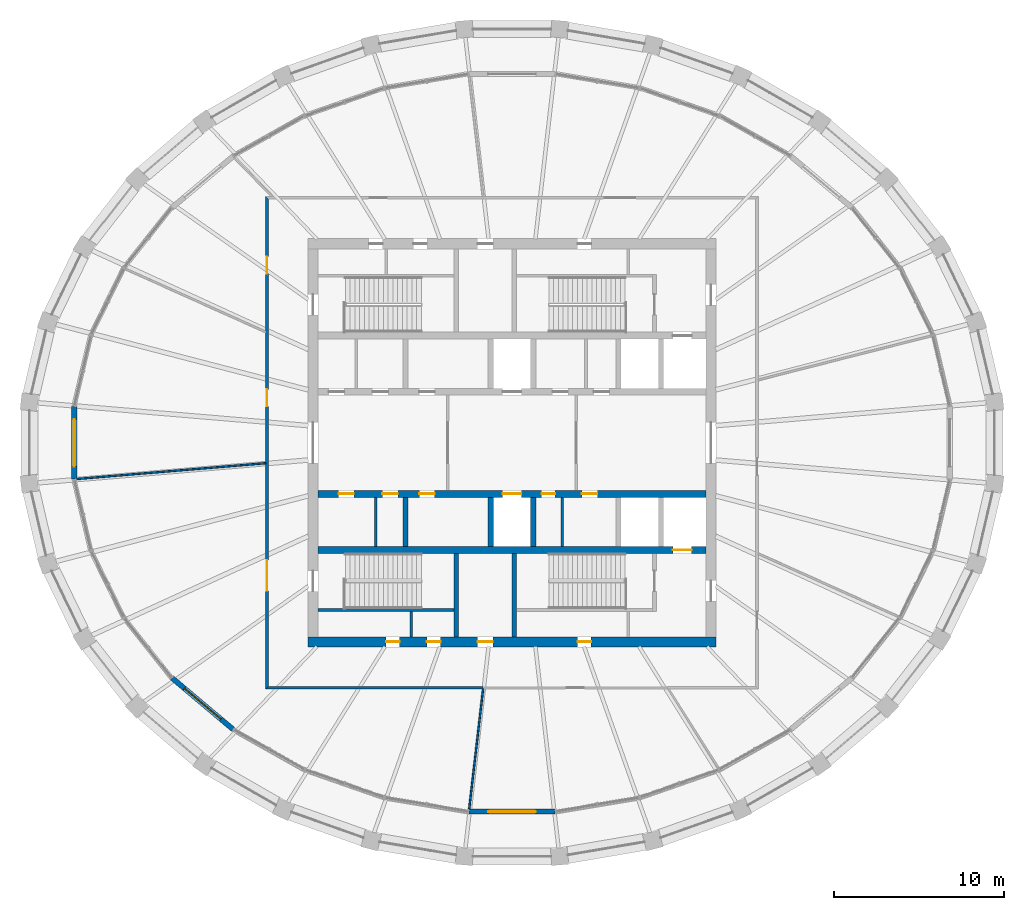
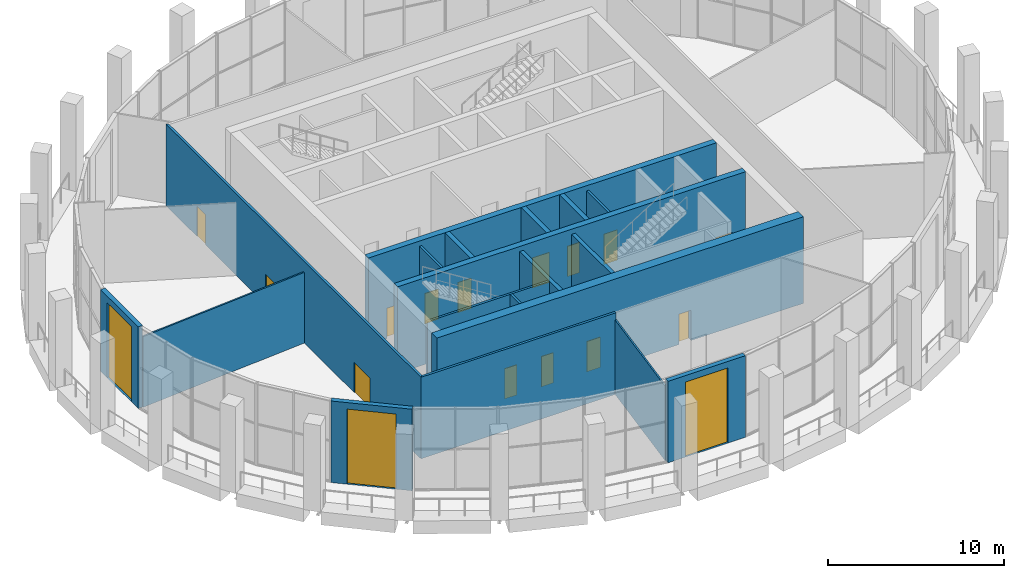
# One storey, part 10 of 15: 19 walls, 17 doors, 17 openings.
"""IFC4 building model written with IfcOpenShell, lengths in metres."""

from ifc_helpers import new_model, si_unit, direction, frame, frame_2d, origin, place, context, subcontext, project, spatial, polyline, rectangle, outline, extrude, material, layer, layer_set, type_object, element, fill, save


model = new_model("IFC4")

# Units and contexts
model_context = context("Model", 3, precision=1e-05, world=origin(), true_north=direction((0.0, 1.0)))
body_context = subcontext(model_context, "Body", "Model", "MODEL_VIEW")
ifc_project = project(units=[si_unit("LENGTHUNIT", "METRE"), si_unit("AREAUNIT", "SQUARE_METRE"), si_unit("VOLUMEUNIT", "CUBIC_METRE"), si_unit("PLANEANGLEUNIT", "RADIAN"), si_unit("MASSUNIT", "GRAM", prefix="KILO")], contexts=[model_context])

# Site, building, storey
site_placement = place(None, origin())
site = spatial("IfcSite", under=ifc_project, at=site_placement, CompositionType="ELEMENT")
building_placement = place(site_placement, origin())
building = spatial("IfcBuilding", under=site, at=building_placement, Name="Halqa Exchange Tower", CompositionType="ELEMENT")
storey_placement = place(building_placement, frame((0.0, 0.0, 343.300048828125)))
storey = spatial("IfcBuildingStorey", under=building, at=storey_placement, Name="L80", CompositionType="ELEMENT", Elevation=343.300048828125)

# Wall, openings, doors
ifc_material_1 = material(Name="Fire-rated gypsum board")
ifc_layer_1 = layer(ifc_material_1, 0.14990234375)
ifc_layer_set_1 = layer_set([ifc_layer_1], Name="Fire-rated gypsum board")
wall_type_1 = type_object("IfcWallType", Name="Fire partition EI 60 150", PredefinedType="PARTITIONING", material=ifc_layer_set_1)
wall_1_placement = place(storey_placement, frame((-14.39990234375, -14.47509765625, 0.0), z_axis=(0.0, 0.0, 1.0), x_axis=(0.0, 1.0, 0.0)))
wall_1 = element("IfcWall", 1, at=wall_1_placement, inside=storey, type_object=wall_type_1, Name="L80-PWL-001", PredefinedType="PARTITIONING", context=body_context, shape_type="SweptSolid", body=[
    extrude(outline(polyline([(0.150146484375, -0.074951171875), (2.06005859375, -0.074951171875), (3.97021484375, -0.074951171875), (5.880126953125, -0.074951171875), (7.7900390625, -0.074951171875), (9.7001953125, -0.074951171875), (11.610107421875, -0.074951171875), (13.52001953125, -0.074951171875), (15.43017578125, -0.074951171875), (17.340087890625, -0.074951171875), (19.25, -0.074951171875), (21.16015625, -0.074951171875), (23.070068359375, -0.074951171875), (24.97998046875, -0.074951171875), (26.89013671875, -0.074951171875), (28.800048828125, -0.074951171875), (28.949951171875, 0.074951171875), (27.02001953125, 0.074951171875), (25.090087890625, 0.074951171875), (23.159912109375, 0.074951171875), (21.22998046875, 0.074951171875), (19.300048828125, 0.074951171875), (17.3701171875, 0.074951171875), (15.440185546875, 0.074951171875), (13.510009765625, 0.074951171875), (11.580078125, 0.074951171875), (9.650146484375, 0.074951171875), (7.72021484375, 0.074951171875), (5.790283203125, 0.074951171875), (3.860107421875, 0.074951171875), (1.93017578125, 0.074951171875), (0.000244140625, 0.074951171875), (0.150146484375, -0.074951171875)])), origin(), (0.0, 0.0, 1.0), 5.64990234375),
])
opening_1_placement = place(wall_1_placement, frame((24.4150390625, 0.0, 0.0)))
opening_1 = element("IfcOpeningElement", 2, at=opening_1_placement, cuts=wall_1, Name="Opening L80-03", PredefinedType="OPENING", context=body_context, shape_type="SweptSolid", body=[
    extrude(rectangle(XDim=1.0, YDim=2.10009765625, at=frame_2d((0.5, 1.050048828125))), frame((0.0, 0.0869140625, 0.0), z_axis=(0.0, -1.0, 0.0), x_axis=(1.0, 0.0, 0.0)), (0.0, 0.0, 1.0), 0.173828125),
])
opening_2_placement = place(wall_1_placement, frame((16.6201171875, 0.0, 0.0)))
opening_2 = element("IfcOpeningElement", 3, at=opening_2_placement, cuts=wall_1, Name="Opening L80-04", PredefinedType="OPENING", context=body_context, shape_type="SweptSolid", body=[
    extrude(rectangle(XDim=1.0, YDim=2.10009765625, at=frame_2d((0.5, 1.050048828125))), frame((0.0, 0.0869140625, 0.0), z_axis=(0.0, -1.0, 0.0), x_axis=(1.0, 0.0, 0.0)), (0.0, 0.0, 1.0), 0.173828125),
])
opening_3_placement = place(wall_1_placement, frame((5.780029296875, 0.0, 0.0)))
opening_3 = element("IfcOpeningElement", 4, at=opening_3_placement, cuts=wall_1, Name="Opening L80-05", PredefinedType="OPENING", context=body_context, shape_type="SweptSolid", body=[
    extrude(rectangle(XDim=1.800048828125, YDim=2.10009765625, at=frame_2d((0.89990234375, 1.050048828125))), frame((0.0, 0.0869140625, 0.0), z_axis=(0.0, -1.0, 0.0), x_axis=(1.0, 0.0, 0.0)), (0.0, 0.0, 1.0), 0.173828125),
])
ifc_material_2 = material(Name="Steel fire door leaf", Category="steel")
door_type_1 = type_object("IfcDoorType", Name="Fire door FD30S 1000 x 2100", OperationType="SINGLE_SWING_LEFT", PredefinedType="DOOR", material=ifc_material_2)
door_1_placement = place(opening_1_placement, origin())
door_1 = element("IfcDoor", 5, at=door_1_placement, inside=storey, type_object=door_type_1, Name="L80-IDR-003", OperationType="SINGLE_SWING_RIGHT", OverallHeight=2.10009765625, OverallWidth=1.0, PredefinedType="DOOR", context=body_context, shape_type="SweptSolid", body=[
    extrude(rectangle(XDim=1.0, YDim=2.10009765625, at=frame_2d((0.5, 1.050048828125))), frame((0.0, 0.02490234375, 0.0), z_axis=(0.0, -1.0, 0.0), x_axis=(1.0, 0.0, 0.0)), (0.0, 0.0, 1.0), 0.050048828125),
])
fill(opening_1, door_1)
door_2_placement = place(opening_2_placement, origin())
door_2 = element("IfcDoor", 6, at=door_2_placement, inside=storey, type_object=door_type_1, Name="L80-IDR-004", OperationType="SINGLE_SWING_LEFT", OverallHeight=2.10009765625, OverallWidth=1.0, PredefinedType="DOOR", context=body_context, shape_type="SweptSolid", body=[
    extrude(rectangle(XDim=1.0, YDim=2.10009765625, at=frame_2d((0.5, 1.050048828125))), frame((0.0, 0.02490234375, 0.0), z_axis=(0.0, -1.0, 0.0), x_axis=(1.0, 0.0, 0.0)), (0.0, 0.0, 1.0), 0.050048828125),
])
fill(opening_2, door_2)
door_type_2 = type_object("IfcDoorType", Name="Fire door FD30S double 1800 x 2100", OperationType="DOUBLE_DOOR_SINGLE_SWING", PredefinedType="DOOR", material=ifc_material_2)
door_3_placement = place(opening_3_placement, origin())
door_3 = element("IfcDoor", 7, at=door_3_placement, inside=storey, type_object=door_type_2, Name="L80-IDR-005", OperationType="DOUBLE_DOOR_SINGLE_SWING", OverallHeight=2.10009765625, OverallWidth=1.800048828125, PredefinedType="DOOR", context=body_context, shape_type="SweptSolid", body=[
    extrude(rectangle(XDim=1.800048828125, YDim=2.10009765625, at=frame_2d((0.89990234375, 1.050048828125))), frame((0.0, 0.02490234375, 0.0), z_axis=(0.0, -1.0, 0.0), x_axis=(1.0, 0.0, 0.0)), (0.0, 0.0, 1.0), 0.050048828125),
])
fill(opening_3, door_3)

# Walls
wall_2_placement = place(storey_placement, frame((-1.68994140625, -14.39990234375, 0.0), z_axis=(0.0, 0.0, 1.0), x_axis=(-1.0, 0.0, 0.0)))
element("IfcWall", 8, at=wall_2_placement, inside=storey, type_object=wall_type_1, Name="L80-PWL-006", PredefinedType="PARTITIONING", context=body_context, shape_type="SweptSolid", body=[
    extrude(outline(polyline([(0.0, -0.074951171875), (1.804931640625, -0.074951171875), (3.610107421875, -0.074951171875), (5.4150390625, -0.074951171875), (7.219970703125, -0.074951171875), (9.02490234375, -0.074951171875), (10.830078125, -0.074951171875), (12.635009765625, -0.074951171875), (12.784912109375, 0.074951171875), (10.95849609375, 0.074951171875), (9.132080078125, 0.074951171875), (7.3056640625, 0.074951171875), (5.479248046875, 0.074951171875), (3.65283203125, 0.074951171875), (1.826416015625, 0.074951171875), (0.0, 0.074951171875), (0.0, -0.074951171875)])), origin(), (0.0, 0.0, 1.0), 5.64990234375),
])
ifc_material_3 = material(Name="Gypsum board")
ifc_layer_2 = layer(ifc_material_3, 0.10009765625)
ifc_layer_set_2 = layer_set([ifc_layer_2], Name="Gypsum board")
wall_type_2 = type_object("IfcWallType", Name="Partition 100 gypsum", PredefinedType="PARTITIONING", material=ifc_layer_set_2)
wall_3_placement = place(storey_placement, frame((-14.47119140625, -1.196044921875, 0.0), z_axis=(0.0, 0.0, 1.0), x_axis=(-0.996521986217, -0.083330252526, 0.0)))
element("IfcWall", 9, at=wall_3_placement, inside=storey, type_object=wall_type_2, Name="L80-PWL-002", PredefinedType="PARTITIONING", context=body_context, shape_type="SweptSolid", body=[
    extrude(outline(polyline([(11.13916015625, -0.050048828125), (11.13916015625, 0.023681640625), (11.13525390625, 0.050048828125), (9.28076171875, 0.050048828125), (7.426025390625, 0.050048828125), (5.571533203125, 0.050048828125), (3.717041015625, 0.050048828125), (1.862548828125, 0.050048828125), (0.008056640625, 0.050048828125), (0.0, -0.045654296875), (0.0, -0.050048828125), (1.8564453125, -0.050048828125), (3.713134765625, -0.050048828125), (5.569580078125, -0.050048828125), (7.426025390625, -0.050048828125), (9.28271484375, -0.050048828125), (11.13916015625, -0.050048828125)])), origin(), (0.0, 0.0, 1.0), 4.89697265625),
])
wall_4_placement = place(storey_placement, frame((-1.6962890625, -14.45458984375, 0.0), z_axis=(0.0, 0.0, 1.0), x_axis=(-0.115118997629, -0.993351708301, 0.0)))
element("IfcWall", 10, at=wall_4_placement, inside=storey, type_object=wall_type_2, Name="L80-PWL-007", PredefinedType="PARTITIONING", context=body_context, shape_type="SweptSolid", body=[
    extrude(outline(polyline([(7.115234375, -0.050048828125), (7.115234375, 0.01708984375), (7.111328125, 0.050048828125), (5.33349609375, 0.050048828125), (3.5556640625, 0.050048828125), (1.77783203125, 0.050048828125), (0.0, 0.050048828125), (0.0, 0.046875), (0.004638671875, 0.0068359375), (0.01953125, 0.008544921875), (0.0263671875, -0.050048828125), (1.798583984375, -0.050048828125), (3.57080078125, -0.050048828125), (5.343017578125, -0.050048828125), (7.115234375, -0.050048828125)])), origin(), (0.0, 0.0, 1.0), 5.14990234375),
])
ifc_layer_3 = layer(ifc_material_3, 0.14990234375)
ifc_layer_set_3 = layer_set([ifc_layer_3], Name="Gypsum board")
wall_type_3 = type_object("IfcWallType", Name="Penthouse riser wall 150 gypsum", PredefinedType="PARTITIONING", material=ifc_layer_set_3)
wall_5_placement = place(storey_placement, frame((-5.925048828125, -11.39990234375, 0.0), z_axis=(0.0, 0.0, 1.0), x_axis=(0.0, 1.0, 0.0)))
element("IfcWall", 11, at=wall_5_placement, inside=storey, type_object=wall_type_3, Name="Partition W5.925 S", PredefinedType="PARTITIONING", context=body_context, shape_type="SweptSolid", body=[
    extrude(rectangle(XDim=1.5, YDim=0.14990234375, at=frame_2d((0.75, 0.0))), origin(), (0.0, 0.0, 1.0), 5.64990234375),
])
for number, where, z_axis, x_axis, name in (
    (12, (2.949951171875, -6.10009765625, 0.0), (0.0, 0.0, 1.0), (0.0, 1.0, 0.0), "Freed bay partition SE2.950"),
    (13, (-8.0, -6.10009765625, 0.0), (0.0, 0.0, 1.0), (0.0, 1.0, 0.0), "Freed bay partition SW8.000"),
):
    element("IfcWall", number, at=place(storey_placement, frame(where, z_axis=z_axis, x_axis=x_axis)), inside=storey, type_object=wall_type_3, Name=name, PredefinedType="PARTITIONING", context=body_context, shape_type="SweptSolid", body=[
        extrude(rectangle(XDim=2.900146484375, YDim=0.14990234375, at=frame_2d((1.4501953125, 0.0))), origin(), (0.0, 0.0, 1.0), 5.64990234375),
    ])
ifc_material_4 = material(Name="Concrete C60/75", Category="concrete")
ifc_layer_4 = layer(ifc_material_4, 0.300048828125)
ifc_layer_set_4 = layer_set([ifc_layer_4], Name="Concrete C60/75")
wall_type_4 = type_object("IfcWallType", Name="RC core wall 300", PredefinedType="SHEAR", material=ifc_layer_set_4)
for number, where, z_axis, x_axis, name in (
    (14, (-6.25, -6.10009765625, 0.0), (0.0, 0.0, 1.0), (0.0, 1.0, 0.0), "Shaft divider S2"),
    (15, (-1.25, -6.10009765625, 0.0), (0.0, 0.0, 1.0), (0.0, 1.0, 0.0), "Shaft divider S4"),
    (16, (1.25, -6.10009765625, 0.0), (0.0, 0.0, 1.0), (0.0, 1.0, 0.0), "Shaft divider S5"),
):
    element("IfcWall", number, at=place(storey_placement, frame(where, z_axis=z_axis, x_axis=x_axis)), inside=storey, type_object=wall_type_4, Name=name, PredefinedType="SHEAR", context=body_context, shape_type="SweptSolid", body=[
        extrude(rectangle(XDim=2.900146484375, YDim=0.300048828125, at=frame_2d((1.4501953125, 0.0))), origin(), (0.0, 0.0, 1.0), 6.0),
    ])

# Wall, openings, doors
ifc_layer_5 = layer(ifc_material_4, 0.39990234375)
ifc_layer_set_5 = layer_set([ifc_layer_5], Name="Concrete C60/75")
wall_type_5 = type_object("IfcWallType", Name="RC core wall 400 C60/75", PredefinedType="SHEAR", material=ifc_layer_set_5)
wall_6_placement = place(storey_placement, frame((-11.39990234375, -3.0, 0.0), z_axis=(0.0, 0.0, 1.0), x_axis=(1.0, 0.0, 0.0)))
wall_6 = element("IfcWall", 17, at=wall_6_placement, inside=storey, type_object=wall_type_5, Name="Lift row front wall S", PredefinedType="SHEAR", context=body_context, shape_type="SweptSolid", body=[
    extrude(rectangle(XDim=22.7998046875, YDim=0.39990234375, at=frame_2d((11.39990234375, 0.0))), origin(), (0.0, 0.0, 1.0), 6.0),
])
opening_4_placement = place(wall_6_placement, frame((10.85009765625, 0.0, 0.0)))
opening_4 = element("IfcOpeningElement", 18, at=opening_4_placement, cuts=wall_6, Name="Opening LD-OB2-L80", PredefinedType="OPENING", context=body_context, shape_type="SweptSolid", body=[
    extrude(rectangle(XDim=1.10009765625, YDim=2.10009765625, at=frame_2d((0.550048828125, 1.050048828125))), frame((0.0, 0.2119140625, 0.0), z_axis=(0.0, -1.0, 0.0), x_axis=(1.0, 0.0, 0.0)), (0.0, 0.0, 1.0), 0.423828125),
])
opening_5_placement = place(wall_6_placement, frame((13.137451171875, 0.0, 0.0)))
opening_5 = element("IfcOpeningElement", 19, at=opening_5_placement, cuts=wall_6, Name="Opening L80-C28", PredefinedType="OPENING", context=body_context, shape_type="SweptSolid", body=[
    extrude(rectangle(XDim=0.800048828125, YDim=2.10009765625, at=frame_2d((0.39990234375, 1.050048828125))), frame((0.0, 0.2119140625, 0.0), z_axis=(0.0, -1.0, 0.0), x_axis=(1.0, 0.0, 0.0)), (0.0, 0.0, 1.0), 0.423828125),
])
opening_6_placement = place(wall_6_placement, frame((15.512451171875, 0.0, 0.0)))
opening_6 = element("IfcOpeningElement", 20, at=opening_6_placement, cuts=wall_6, Name="Opening L80-C29", PredefinedType="OPENING", context=body_context, shape_type="SweptSolid", body=[
    extrude(rectangle(XDim=0.89990234375, YDim=2.10009765625, at=frame_2d((0.449951171875, 1.050048828125))), frame((0.0, 0.2119140625, 0.0), z_axis=(0.0, -1.0, 0.0), x_axis=(1.0, 0.0, 0.0)), (0.0, 0.0, 1.0), 0.423828125),
])
opening_7_placement = place(wall_6_placement, frame((5.949951171875, 0.0, 0.0)))
opening_7 = element("IfcOpeningElement", 21, at=opening_7_placement, cuts=wall_6, Name="Opening L80-C30", PredefinedType="OPENING", context=body_context, shape_type="SweptSolid", body=[
    extrude(rectangle(XDim=0.89990234375, YDim=2.10009765625, at=frame_2d((0.449951171875, 1.050048828125))), frame((0.0, 0.2119140625, 0.0), z_axis=(0.0, -1.0, 0.0), x_axis=(1.0, 0.0, 0.0)), (0.0, 0.0, 1.0), 0.423828125),
])
opening_8_placement = place(wall_6_placement, frame((1.21240234375, 0.0, 0.0)))
opening_8 = element("IfcOpeningElement", 22, at=opening_8_placement, cuts=wall_6, Name="Opening L80-C31", PredefinedType="OPENING", context=body_context, shape_type="SweptSolid", body=[
    extrude(rectangle(XDim=0.89990234375, YDim=2.10009765625, at=frame_2d((0.449951171875, 1.050048828125))), frame((0.0, 0.2119140625, 0.0), z_axis=(0.0, -1.0, 0.0), x_axis=(1.0, 0.0, 0.0)), (0.0, 0.0, 1.0), 0.423828125),
])
opening_9_placement = place(wall_6_placement, frame((3.78759765625, 0.0, 0.0)))
opening_9 = element("IfcOpeningElement", 23, at=opening_9_placement, cuts=wall_6, Name="Opening L80-C32", PredefinedType="OPENING", context=body_context, shape_type="SweptSolid", body=[
    extrude(rectangle(XDim=0.89990234375, YDim=2.10009765625, at=frame_2d((0.449951171875, 1.050048828125))), frame((0.0, 0.2119140625, 0.0), z_axis=(0.0, -1.0, 0.0), x_axis=(1.0, 0.0, 0.0)), (0.0, 0.0, 1.0), 0.423828125),
])
ifc_material_5 = material(Name="Timber fire door leaf", Category="wood")
door_type_3 = type_object("IfcDoorType", Name="Core room door FD30 900 x 2100", OperationType="SINGLE_SWING_LEFT", PredefinedType="DOOR", material=ifc_material_5)
door_4_placement = place(opening_6_placement, frame((0.89990234375, 0.0, 0.0), z_axis=(0.0, 0.0, 1.0), x_axis=(-1.0, 0.0, 0.0)))
door_4 = element("IfcDoor", 24, at=door_4_placement, inside=storey, type_object=door_type_3, Name="Core room door", OperationType="SINGLE_SWING_LEFT", OverallHeight=2.10009765625, OverallWidth=0.89990234375, PredefinedType="DOOR", context=body_context, shape_type="SweptSolid", body=[
    extrude(rectangle(XDim=0.89990234375, YDim=2.10009765625, at=frame_2d((0.449951171875, 1.050048828125))), frame((0.0, 0.02490234375, 0.0), z_axis=(0.0, -1.0, 0.0), x_axis=(1.0, 0.0, 0.0)), (0.0, 0.0, 1.0), 0.050048828125),
])
fill(opening_6, door_4)
door_5_placement = place(opening_7_placement, frame((0.89990234375, 0.0, 0.0), z_axis=(0.0, 0.0, 1.0), x_axis=(-1.0, 0.0, 0.0)))
door_5 = element("IfcDoor", 25, at=door_5_placement, inside=storey, type_object=door_type_3, Name="Core room door", OperationType="SINGLE_SWING_LEFT", OverallHeight=2.10009765625, OverallWidth=0.89990234375, PredefinedType="DOOR", context=body_context, shape_type="SweptSolid", body=[
    extrude(rectangle(XDim=0.89990234375, YDim=2.10009765625, at=frame_2d((0.449951171875, 1.050048828125))), frame((0.0, 0.02490234375, 0.0), z_axis=(0.0, -1.0, 0.0), x_axis=(1.0, 0.0, 0.0)), (0.0, 0.0, 1.0), 0.050048828125),
])
fill(opening_7, door_5)
door_6_placement = place(opening_8_placement, frame((0.89990234375, 0.0, 0.0), z_axis=(0.0, 0.0, 1.0), x_axis=(-1.0, 0.0, 0.0)))
door_6 = element("IfcDoor", 26, at=door_6_placement, inside=storey, type_object=door_type_3, Name="Core room door", OperationType="SINGLE_SWING_RIGHT", OverallHeight=2.10009765625, OverallWidth=0.89990234375, PredefinedType="DOOR", context=body_context, shape_type="SweptSolid", body=[
    extrude(rectangle(XDim=0.89990234375, YDim=2.10009765625, at=frame_2d((0.449951171875, 1.050048828125))), frame((0.0, 0.02490234375, 0.0), z_axis=(0.0, -1.0, 0.0), x_axis=(1.0, 0.0, 0.0)), (0.0, 0.0, 1.0), 0.050048828125),
])
fill(opening_8, door_6)
door_7_placement = place(opening_9_placement, frame((0.89990234375, 0.0, 0.0), z_axis=(0.0, 0.0, 1.0), x_axis=(-1.0, 0.0, 0.0)))
door_7 = element("IfcDoor", 27, at=door_7_placement, inside=storey, type_object=door_type_3, Name="Core room door", OperationType="SINGLE_SWING_RIGHT", OverallHeight=2.10009765625, OverallWidth=0.89990234375, PredefinedType="DOOR", context=body_context, shape_type="SweptSolid", body=[
    extrude(rectangle(XDim=0.89990234375, YDim=2.10009765625, at=frame_2d((0.449951171875, 1.050048828125))), frame((0.0, 0.02490234375, 0.0), z_axis=(0.0, -1.0, 0.0), x_axis=(1.0, 0.0, 0.0)), (0.0, 0.0, 1.0), 0.050048828125),
])
fill(opening_9, door_7)
ifc_material_6 = material(Name="Stainless steel", Category="steel")
door_type_4 = type_object("IfcDoorType", Name="Lift landing door 1100 x 2100", OperationType="SLIDING_TO_LEFT", PredefinedType="DOOR", material=ifc_material_6)
door_8_placement = place(opening_4_placement, origin())
door_8 = element("IfcDoor", 28, at=door_8_placement, inside=storey, type_object=door_type_4, Name="Lift landing door OB2", OperationType="SLIDING_TO_LEFT", OverallHeight=2.10009765625, OverallWidth=1.10009765625, PredefinedType="DOOR", context=body_context, shape_type="SweptSolid", body=[
    extrude(rectangle(XDim=1.10009765625, YDim=2.10009765625, at=frame_2d((0.550048828125, 1.050048828125))), frame((0.0, 0.02490234375, 0.0), z_axis=(0.0, -1.0, 0.0), x_axis=(1.0, 0.0, 0.0)), (0.0, 0.0, 1.0), 0.050048828125),
])
fill(opening_4, door_8)
door_type_5 = type_object("IfcDoorType", Name="Riser door FD60 800 x 2100", OperationType="SINGLE_SWING_LEFT", PredefinedType="DOOR", material=ifc_material_2)
door_9_placement = place(opening_5_placement, frame((0.800048828125, 0.0, 0.0), z_axis=(0.0, 0.0, 1.0), x_axis=(-1.0, 0.0, 0.0)))
door_9 = element("IfcDoor", 29, at=door_9_placement, inside=storey, type_object=door_type_5, Name="Core room door", OperationType="SINGLE_SWING_LEFT", OverallHeight=2.10009765625, OverallWidth=0.800048828125, PredefinedType="DOOR", context=body_context, shape_type="SweptSolid", body=[
    extrude(rectangle(XDim=0.800048828125, YDim=2.10009765625, at=frame_2d((0.39990234375, 1.050048828125))), frame((0.0, 0.02490234375, 0.0), z_axis=(0.0, -1.0, 0.0), x_axis=(1.0, 0.0, 0.0)), (0.0, 0.0, 1.0), 0.050048828125),
])
fill(opening_5, door_9)

# Wall, opening, door
wall_7_placement = place(storey_placement, frame((-11.39990234375, -6.300048828125, 0.0), z_axis=(0.0, 0.0, 1.0), x_axis=(1.0, 0.0, 0.0)))
wall_7 = element("IfcWall", 30, at=wall_7_placement, inside=storey, type_object=wall_type_5, Name="Lift row back wall S", PredefinedType="SHEAR", context=body_context, shape_type="SweptSolid", body=[
    extrude(rectangle(XDim=22.7998046875, YDim=0.39990234375, at=frame_2d((11.39990234375, 0.0))), origin(), (0.0, 0.0, 1.0), 6.0),
])
opening_10_placement = place(wall_7_placement, frame((20.85009765625, 0.0, 0.0)))
opening_10 = element("IfcOpeningElement", 31, at=opening_10_placement, cuts=wall_7, Name="Opening LD-FF2-L80", PredefinedType="OPENING", context=body_context, shape_type="SweptSolid", body=[
    extrude(rectangle(XDim=1.10009765625, YDim=2.10009765625, at=frame_2d((0.550048828125, 1.050048828125))), frame((0.0, 0.2119140625, 0.0), z_axis=(0.0, -1.0, 0.0), x_axis=(1.0, 0.0, 0.0)), (0.0, 0.0, 1.0), 0.423828125),
])
door_10_placement = place(opening_10_placement, origin())
door_10 = element("IfcDoor", 32, at=door_10_placement, inside=storey, type_object=door_type_4, Name="Lift landing door FF2", OperationType="SLIDING_TO_LEFT", OverallHeight=2.10009765625, OverallWidth=1.10009765625, PredefinedType="DOOR", context=body_context, shape_type="SweptSolid", body=[
    extrude(rectangle(XDim=1.10009765625, YDim=2.10009765625, at=frame_2d((0.550048828125, 1.050048828125))), frame((0.0, 0.02490234375, 0.0), z_axis=(0.0, -1.0, 0.0), x_axis=(1.0, 0.0, 0.0)), (0.0, 0.0, 1.0), 0.050048828125),
])
fill(opening_10, door_10)

# Wall, openings, doors
ifc_layer_6 = layer(ifc_material_4, 0.60009765625)
ifc_layer_set_6 = layer_set([ifc_layer_6], Name="Concrete C60/75")
wall_type_6 = type_object("IfcWallType", Name="RC core wall 600 C60/75", PredefinedType="SHEAR", material=ifc_layer_set_6)
wall_8_placement = place(storey_placement, frame((-12.0, -11.699951171875, 0.0), z_axis=(0.0, 0.0, 1.0), x_axis=(1.0, 0.0, 0.0)))
wall_8 = element("IfcWall", 33, at=wall_8_placement, inside=storey, type_object=wall_type_6, Name="Core wall south", PredefinedType="SHEAR", context=body_context, shape_type="SweptSolid", body=[
    extrude(rectangle(XDim=24.0, YDim=0.60009765625, at=frame_2d((12.0, 0.0))), origin(), (0.0, 0.0, 1.0), 6.0),
])
opening_11_placement = place(wall_8_placement, frame((9.97509765625, 0.0, 0.0)))
opening_11 = element("IfcOpeningElement", 34, at=opening_11_placement, cuts=wall_8, Name="Opening L80-C19", PredefinedType="OPENING", context=body_context, shape_type="SweptSolid", body=[
    extrude(rectangle(XDim=0.89990234375, YDim=2.10009765625, at=frame_2d((0.449951171875, 1.050048828125))), frame((0.0, 0.31201171875, 0.0), z_axis=(0.0, -1.0, 0.0), x_axis=(1.0, 0.0, 0.0)), (0.0, 0.0, 1.0), 0.6240234375),
])
opening_12_placement = place(wall_8_placement, frame((4.60009765625, 0.0, 0.0)))
opening_12 = element("IfcOpeningElement", 35, at=opening_12_placement, cuts=wall_8, Name="Opening L80-C20", PredefinedType="OPENING", context=body_context, shape_type="SweptSolid", body=[
    extrude(rectangle(XDim=0.800048828125, YDim=2.10009765625, at=frame_2d((0.39990234375, 1.050048828125))), frame((0.0, 0.31201171875, 0.0), z_axis=(0.0, -1.0, 0.0), x_axis=(1.0, 0.0, 0.0)), (0.0, 0.0, 1.0), 0.6240234375),
])
opening_13_placement = place(wall_8_placement, frame((7.0, 0.0, 0.0)))
opening_13 = element("IfcOpeningElement", 36, at=opening_13_placement, cuts=wall_8, Name="Opening L80-C21", PredefinedType="OPENING", context=body_context, shape_type="SweptSolid", body=[
    extrude(rectangle(XDim=0.800048828125, YDim=2.10009765625, at=frame_2d((0.39990234375, 1.050048828125))), frame((0.0, 0.31201171875, 0.0), z_axis=(0.0, -1.0, 0.0), x_axis=(1.0, 0.0, 0.0)), (0.0, 0.0, 1.0), 0.6240234375),
])
opening_14_placement = place(wall_8_placement, frame((15.85009765625, 0.0, 0.0)))
opening_14 = element("IfcOpeningElement", 37, at=opening_14_placement, cuts=wall_8, Name="Opening L80-C22", PredefinedType="OPENING", context=body_context, shape_type="SweptSolid", body=[
    extrude(rectangle(XDim=0.800048828125, YDim=2.10009765625, at=frame_2d((0.39990234375, 1.050048828125))), frame((0.0, 0.31201171875, 0.0), z_axis=(0.0, -1.0, 0.0), x_axis=(1.0, 0.0, 0.0)), (0.0, 0.0, 1.0), 0.6240234375),
])
door_11_placement = place(opening_11_placement, origin())
door_11 = element("IfcDoor", 38, at=door_11_placement, inside=storey, type_object=door_type_3, Name="Core room door", OperationType="SINGLE_SWING_LEFT", OverallHeight=2.10009765625, OverallWidth=0.89990234375, PredefinedType="DOOR", context=body_context, shape_type="SweptSolid", body=[
    extrude(rectangle(XDim=0.89990234375, YDim=2.10009765625, at=frame_2d((0.449951171875, 1.050048828125))), frame((0.0, 0.02490234375, 0.0), z_axis=(0.0, -1.0, 0.0), x_axis=(1.0, 0.0, 0.0)), (0.0, 0.0, 1.0), 0.050048828125),
])
fill(opening_11, door_11)
door_12_placement = place(opening_12_placement, origin())
door_12 = element("IfcDoor", 39, at=door_12_placement, inside=storey, type_object=door_type_5, Name="Core room door", OperationType="SINGLE_SWING_LEFT", OverallHeight=2.10009765625, OverallWidth=0.800048828125, PredefinedType="DOOR", context=body_context, shape_type="SweptSolid", body=[
    extrude(rectangle(XDim=0.800048828125, YDim=2.10009765625, at=frame_2d((0.39990234375, 1.050048828125))), frame((0.0, 0.02490234375, 0.0), z_axis=(0.0, -1.0, 0.0), x_axis=(1.0, 0.0, 0.0)), (0.0, 0.0, 1.0), 0.050048828125),
])
fill(opening_12, door_12)
door_13_placement = place(opening_13_placement, origin())
door_13 = element("IfcDoor", 40, at=door_13_placement, inside=storey, type_object=door_type_5, Name="Core room door", OperationType="SINGLE_SWING_RIGHT", OverallHeight=2.10009765625, OverallWidth=0.800048828125, PredefinedType="DOOR", context=body_context, shape_type="SweptSolid", body=[
    extrude(rectangle(XDim=0.800048828125, YDim=2.10009765625, at=frame_2d((0.39990234375, 1.050048828125))), frame((0.0, 0.02490234375, 0.0), z_axis=(0.0, -1.0, 0.0), x_axis=(1.0, 0.0, 0.0)), (0.0, 0.0, 1.0), 0.050048828125),
])
fill(opening_13, door_13)
door_14_placement = place(opening_14_placement, origin())
door_14 = element("IfcDoor", 41, at=door_14_placement, inside=storey, type_object=door_type_5, Name="Core room door", OperationType="SINGLE_SWING_LEFT", OverallHeight=2.10009765625, OverallWidth=0.800048828125, PredefinedType="DOOR", context=body_context, shape_type="SweptSolid", body=[
    extrude(rectangle(XDim=0.800048828125, YDim=2.10009765625, at=frame_2d((0.39990234375, 1.050048828125))), frame((0.0, 0.02490234375, 0.0), z_axis=(0.0, -1.0, 0.0), x_axis=(1.0, 0.0, 0.0)), (0.0, 0.0, 1.0), 0.050048828125),
])
fill(opening_14, door_14)

# Walls
ifc_material_7 = material(Name="Concrete C30/37", Category="concrete")
ifc_layer_7 = layer(ifc_material_7, 0.14990234375)
ifc_layer_set_7 = layer_set([ifc_layer_7], Name="Concrete C30/37")
wall_type_7 = type_object("IfcWallType", Name="RC stair wall 150 C30/37", PredefinedType="SHEAR", material=ifc_layer_set_7)
wall_9_placement = place(storey_placement, frame((-11.39990234375, -9.824951171875, 0.0), z_axis=(0.0, 0.0, 1.0), x_axis=(1.0, 0.0, 0.0)))
element("IfcWall", 42, at=wall_9_placement, inside=storey, type_object=wall_type_7, Name="Stair ST1 north wall S", PredefinedType="SHEAR", context=body_context, shape_type="SweptSolid", body=[
    extrude(rectangle(XDim=8.0, YDim=0.14990234375, at=frame_2d((4.0, 0.0))), origin(), (0.0, 0.0, 1.0), 5.64990234375),
])
ifc_layer_8 = layer(ifc_material_7, 0.25)
ifc_layer_set_8 = layer_set([ifc_layer_8], Name="Concrete C30/37")
wall_type_8 = type_object("IfcWallType", Name="RC stair wall 250 C30/37", PredefinedType="SHEAR", material=ifc_layer_set_8)
for number, where, z_axis, x_axis, name in (
    (43, (-3.27490234375, -11.39990234375, 0.0), (0.0, 0.0, 1.0), (0.0, 1.0, 0.0), "Stair ST1 east wall S"),
    (44, (0.125, -11.39990234375, 0.0), (0.0, 0.0, 1.0), (0.0, 1.0, 0.0), "Stair ST2 west wall S"),
):
    element("IfcWall", number, at=place(storey_placement, frame(where, z_axis=z_axis, x_axis=x_axis)), inside=storey, type_object=wall_type_8, Name=name, PredefinedType="SHEAR", context=body_context, shape_type="SweptSolid", body=[
        extrude(rectangle(XDim=4.89990234375, YDim=0.25, at=frame_2d((2.449951171875, 0.0))), origin(), (0.0, 0.0, 1.0), 5.64990234375),
    ])

# Wall, opening, door
ifc_material_8 = material(Name="Limestone cladding", Category="masonry")
ifc_layer_9 = layer(ifc_material_8, 0.0400390625)
ifc_material_9 = material(Name="Ventilated cavity")
ifc_layer_10 = layer(ifc_material_9, 0.030029296875, ventilated=True)
ifc_material_10 = material(Name="Mineral wool insulation")
ifc_layer_11 = layer(ifc_material_10, 0.10009765625)
ifc_layer_12 = layer(ifc_material_7, 0.10009765625)
ifc_material_11 = material(Name="Internal plaster")
ifc_layer_13 = layer(ifc_material_11, 0.030029296875)
ifc_layer_set_9 = layer_set([ifc_layer_9, ifc_layer_10, ifc_layer_11, ifc_layer_12, ifc_layer_13], Name="Stone-faced insulated wall 300")
wall_type_9 = type_object("IfcWallType", Name="Stone-faced insulated wall 300", PredefinedType="STANDARD", material=ifc_layer_set_9)
wall_10_placement = place(storey_placement, frame((-25.726318359375, 2.137451171875, 0.0), z_axis=(0.0, 0.0, 1.0), x_axis=(0.0, -1.0, 0.0)))
wall_10 = element("IfcWall", 45, at=wall_10_placement, inside=storey, type_object=wall_type_9, Name="Glass-line wall 16", PredefinedType="STANDARD", context=body_context, shape_type="SweptSolid", body=[
    extrude(outline(polyline([(0.0, -0.14990234375), (4.27490234375, -0.14990234375), (4.27490234375, 0.14990234375), (0.0, 0.14990234375), (0.0, -0.14990234375)])), origin(), (0.0, 0.0, 1.0), 5.64990234375),
])
opening_15_placement = place(wall_10_placement, frame((0.737548828125, 0.0, 0.0)))
opening_15 = element("IfcOpeningElement", 46, at=opening_15_placement, cuts=wall_10, Name="Opening LGO-F4-04", PredefinedType="OPENING", context=body_context, shape_type="SweptSolid", body=[
    extrude(rectangle(XDim=2.800048828125, YDim=5.199951171875, at=frame_2d((1.39990234375, 2.60009765625))), frame((0.0, 0.162109375, 0.0), z_axis=(0.0, -1.0, 0.0), x_axis=(1.0, 0.0, 0.0)), (0.0, 0.0, 1.0), 0.323974609375),
])
ifc_material_12 = material(Name="Clear low-emissivity glass in aluminium frame", Category="aluminium")
door_type_6 = type_object("IfcDoorType", Name="Glazed sliding balcony door 2800 x 5200", OperationType="DOUBLE_DOOR_SLIDING", PredefinedType="DOOR", material=ifc_material_12)
door_15_placement = place(opening_15_placement, origin())
door_15 = element("IfcDoor", 47, at=door_15_placement, inside=storey, type_object=door_type_6, Name="Loggia door 4", OperationType="DOUBLE_DOOR_SLIDING", OverallHeight=5.199951171875, OverallWidth=2.800048828125, PredefinedType="DOOR", context=body_context, shape_type="SweptSolid", body=[
    extrude(rectangle(XDim=2.800048828125, YDim=5.199951171875, at=frame_2d((1.39990234375, 2.60009765625))), frame((0.0, 0.02490234375, 0.0), z_axis=(0.0, -1.0, 0.0), x_axis=(1.0, 0.0, 0.0)), (0.0, 0.0, 1.0), 0.050048828125),
])
fill(opening_15, door_15)

wall_11_placement = place(storey_placement, frame((-19.974609375, -13.826171875, 0.0), z_axis=(0.0, 0.0, 1.0), x_axis=(0.765128700347, -0.643877373344, 0.0)))
wall_11 = element("IfcWall", 48, at=wall_11_placement, inside=storey, type_object=wall_type_9, Name="Glass-line wall 20", PredefinedType="STANDARD", context=body_context, shape_type="SweptSolid", body=[
    extrude(outline(polyline([(0.0, -0.14990234375), (4.685546875, -0.14990234375), (4.685546875, 0.14990234375), (0.0, 0.14990234375), (0.0, -0.14990234375)])), origin(), (0.0, 0.0, 1.0), 5.64990234375),
])
opening_16_placement = place(wall_11_placement, frame((0.942626953125, 0.0, 0.0)))
opening_16 = element("IfcOpeningElement", 49, at=opening_16_placement, cuts=wall_11, Name="Opening LGO-F4-05", PredefinedType="OPENING", context=body_context, shape_type="SweptSolid", body=[
    extrude(rectangle(XDim=2.800048828125, YDim=5.199951171875, at=frame_2d((1.39990234375, 2.60009765625))), frame((0.0, 0.162109375, 0.0), z_axis=(0.0, -1.0, 0.0), x_axis=(1.0, 0.0, 0.0)), (0.0, 0.0, 1.0), 0.323974609375),
])
door_16_placement = place(opening_16_placement, origin())
door_16 = element("IfcDoor", 50, at=door_16_placement, inside=storey, type_object=door_type_6, Name="Loggia door 5", OperationType="DOUBLE_DOOR_SLIDING", OverallHeight=5.199951171875, OverallWidth=2.800048828125, PredefinedType="DOOR", context=body_context, shape_type="SweptSolid", body=[
    extrude(rectangle(XDim=2.800048828125, YDim=5.199951171875, at=frame_2d((1.39990234375, 2.60009765625))), frame((0.0, 0.02490234375, 0.0), z_axis=(0.0, -1.0, 0.0), x_axis=(1.0, 0.0, 0.0)), (0.0, 0.0, 1.0), 0.050048828125),
])
fill(opening_16, door_16)

wall_12_placement = place(storey_placement, frame((-2.531494140625, -21.674560546875, 0.0), z_axis=(0.0, 0.0, 1.0), x_axis=(1.0, 0.0, 0.0)))
wall_12 = element("IfcWall", 51, at=wall_12_placement, inside=storey, type_object=wall_type_9, Name="Glass-line wall 24", PredefinedType="STANDARD", context=body_context, shape_type="SweptSolid", body=[
    extrude(outline(polyline([(0.0, -0.14990234375), (5.06298828125, -0.14990234375), (5.06298828125, 0.14990234375), (0.0, 0.14990234375), (0.0, -0.14990234375)])), origin(), (0.0, 0.0, 1.0), 5.64990234375),
])
opening_17_placement = place(wall_12_placement, frame((1.131591796875, 0.0, 0.0)))
opening_17 = element("IfcOpeningElement", 52, at=opening_17_placement, cuts=wall_12, Name="Opening LGO-F4-06", PredefinedType="OPENING", context=body_context, shape_type="SweptSolid", body=[
    extrude(rectangle(XDim=2.800048828125, YDim=5.199951171875, at=frame_2d((1.39990234375, 2.60009765625))), frame((0.0, 0.162109375, 0.0), z_axis=(0.0, -1.0, 0.0), x_axis=(1.0, 0.0, 0.0)), (0.0, 0.0, 1.0), 0.323974609375),
])
door_17_placement = place(opening_17_placement, origin())
door_17 = element("IfcDoor", 53, at=door_17_placement, inside=storey, type_object=door_type_6, Name="Loggia door 6", OperationType="DOUBLE_DOOR_SLIDING", OverallHeight=5.199951171875, OverallWidth=2.800048828125, PredefinedType="DOOR", context=body_context, shape_type="SweptSolid", body=[
    extrude(rectangle(XDim=2.800048828125, YDim=5.199951171875, at=frame_2d((1.39990234375, 2.60009765625))), frame((0.0, 0.02490234375, 0.0), z_axis=(0.0, -1.0, 0.0), x_axis=(1.0, 0.0, 0.0)), (0.0, 0.0, 1.0), 0.050048828125),
])
fill(opening_17, door_17)

save(model, "model.ifc")
